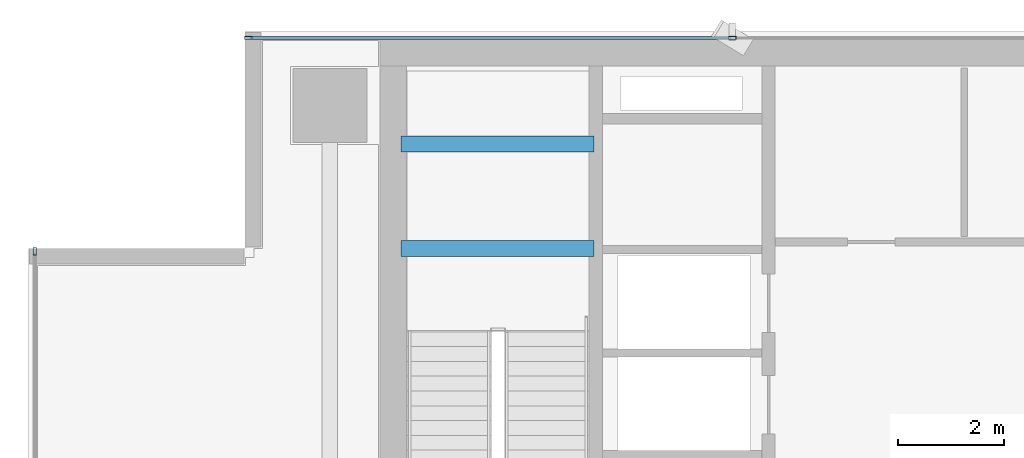
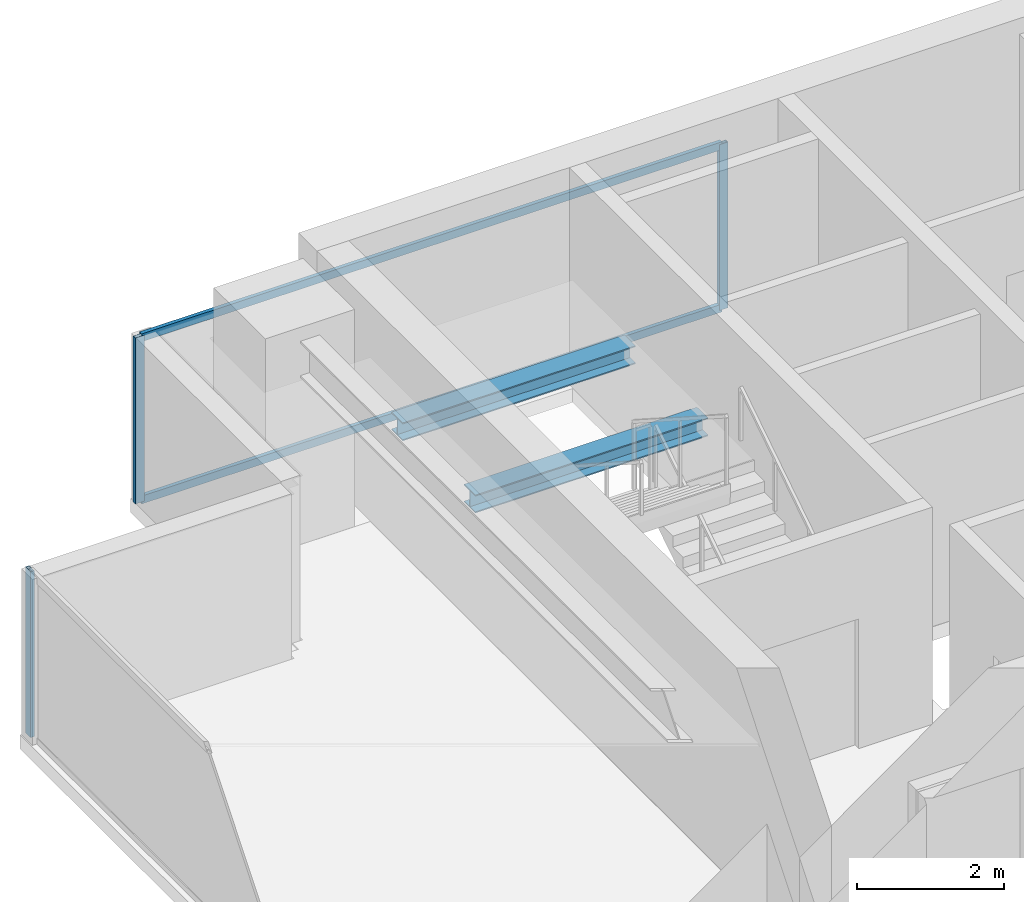
# One storey, part 15 of 26: 5 members, 2 beams, 2 elements without a shape of their own.
"""IFC4 building model written with IfcOpenShell, lengths in metres."""

from ifc_helpers import new_model, si_unit, direction, frame, origin, origin_2d, place, context, subcontext, project, spatial, hollow_rectangle, i_section, extrude, source, transform, mapped, material, layer, layer_set, material_profile, profile_set, type_object, element, aggregate, save


model = new_model("IFC4")

# Units and contexts
model_context = context("Model", 3, precision=1e-05, world=origin(), true_north=direction((0.0, 1.0)))
body_context = subcontext(model_context, "Body", "Model", "MODEL_VIEW")
ifc_project = project(units=[si_unit("LENGTHUNIT", "METRE"), si_unit("AREAUNIT", "SQUARE_METRE"), si_unit("VOLUMEUNIT", "CUBIC_METRE"), si_unit("PLANEANGLEUNIT", "RADIAN"), si_unit("MASSUNIT", "GRAM", prefix="KILO")], contexts=[model_context])

# Site, building, storey
site_placement = place(None, origin())
site = spatial("IfcSite", under=ifc_project, at=site_placement, CompositionType="ELEMENT")
building_placement = place(site_placement, origin())
building = spatial("IfcBuilding", under=site, at=building_placement, Name="Sumidabori Civic Tower", CompositionType="ELEMENT")
storey_placement = place(building_placement, frame((0.0, 0.0, 264.800048828125)))
storey = spatial("IfcBuildingStorey", under=building, at=storey_placement, Name="L69", CompositionType="ELEMENT", Elevation=264.800048828125)

# Beams
ifc_material_1 = material(Name="Steel SN490", Category="steel")
ifc_material_profile_1 = material_profile(ifc_material_1, i_section(OverallWidth=0.300048828125, OverallDepth=0.300048828125, WebThickness=0.010986328125, FlangeThickness=0.01904296875, at=origin_2d()), Name="HE 300 B")
ifc_profile_set_1 = profile_set([ifc_material_profile_1], Name="Steel SN490")
beam_type = type_object("IfcBeamType", Name="BM-LDG-300", PredefinedType="BEAM", material=ifc_profile_set_1)
shared_shape_1 = source(origin(), body_context, "Body", "SweptSolid", [
    extrude(i_section(OverallWidth=0.300048828125, OverallDepth=0.300048828125, WebThickness=0.010986328125, FlangeThickness=0.01904296875, at=origin_2d()), origin(), (0.0, 0.0, 1.0), 3.64990234375),
])
for number, where, z_axis, x_axis, name in (
    (1, (-15.449951171875, 20.09765625, 1.449951171875), (1.0, 0.0, 0.0), (0.0, 1.0, 0.0), "Stair ST-1 Landing Support Beam L69-1A"),
    (2, (-15.449951171875, 22.069580078125, 1.449951171875), (1.0, 0.0, 0.0), (0.0, 1.0, 0.0), "Stair ST-1 Landing Trimmer Beam L69-1B"),
):
    element("IfcBeam", number, at=place(storey_placement, frame(where, z_axis=z_axis, x_axis=x_axis)), inside=storey, type_object=beam_type, Name=name, PredefinedType="BEAM", context=body_context, shape_type="MappedRepresentation", body=[
        mapped(shared_shape_1, transform((0.0, 0.0, 0.0), x_axis=(1.0, 0.0, 0.0), y_axis=(0.0, 1.0, 0.0), z_axis=(0.0, 0.0, 1.0), scale=1.0)),
    ])

# Curtain wall, members
ifc_material_2 = material(Name="Anodised Bronze Aluminium AW-6063-T6", Category="aluminium")
ifc_layer = layer(ifc_material_2, 0.179931640625, Name="Anodised Bronze Aluminium AW-6063-T6")
ifc_layer_set = layer_set([ifc_layer], Name="Anodised Bronze Aluminium AW-6063-T6")
curtain_wall_type = type_object("IfcCurtainWallType", Name="CW-SYS-5", PredefinedType="NOTDEFINED", material=ifc_layer_set)
curtain_wall_1_placement = place(storey_placement, origin())
curtain_wall_1 = element("IfcCurtainWall", 3, at=curtain_wall_1_placement, inside=storey, type_object=curtain_wall_type, Name="Curtain Wall CW:L69:R07", PredefinedType="NOTDEFINED")
ifc_material_profile_2 = material_profile(ifc_material_2, hollow_rectangle(XDim=0.06005859375, YDim=0.1298828125, WallThickness=0.0048828125, at=origin_2d()), Name="ALU TRANSOM 130x60")
ifc_profile_set_2 = profile_set([ifc_material_profile_2], Name="Anodised Bronze Aluminium AW-6063-T6")
member_type_1 = type_object("IfcMemberType", Name="CW-TRN-130", PredefinedType="USERDEFINED", material=ifc_profile_set_2)
shared_shape_2 = source(origin(), body_context, "Body", "SweptSolid", [
    extrude(hollow_rectangle(XDim=0.06005859375, YDim=0.1298828125, WallThickness=0.0048828125, at=origin_2d()), origin(), (0.0, 0.0, 1.0), 9.094970703125),
])
member_1_placement = place(storey_placement, frame((-9.215087890625, 24.080078125, 0.030029296875), z_axis=(-1.0, 0.0, 0.0), x_axis=(0.0, -1.0, 0.0)))
member_1 = element("IfcMember", 4, at=member_1_placement, type_object=member_type_1, Name="CW-5 transom 4.1", ObjectType="TRANSOM", PredefinedType="USERDEFINED", context=body_context, shape_type="MappedRepresentation", body=[
    mapped(shared_shape_2, transform((0.0, 0.0, 0.0), x_axis=(1.0, 0.0, 0.0), y_axis=(0.0, 1.0, 0.0), z_axis=(0.0, 0.0, 1.0), scale=1.0)),
])
member_2_placement = place(storey_placement, frame((-9.215087890625, 24.080078125, 2.719970703125), z_axis=(-1.0, 0.0, 0.0), x_axis=(0.0, -1.0, 0.0)))
member_2 = element("IfcMember", 5, at=member_2_placement, type_object=member_type_1, Name="CW-5 transom 4.2", ObjectType="TRANSOM", PredefinedType="USERDEFINED", context=body_context, shape_type="MappedRepresentation", body=[
    mapped(shared_shape_2, transform((0.0, 0.0, 0.0), x_axis=(1.0, 0.0, 0.0), y_axis=(0.0, 1.0, 0.0), z_axis=(0.0, 0.0, 1.0), scale=1.0)),
])
ifc_material_profile_3 = material_profile(ifc_material_2, hollow_rectangle(XDim=0.06005859375, YDim=0.139892578125, WallThickness=0.0048828125, at=origin_2d()), Name="ALU MULLION 140x60")
ifc_profile_set_3 = profile_set([ifc_material_profile_3], Name="Anodised Bronze Aluminium AW-6063-T6")
member_type_2 = type_object("IfcMemberType", Name="CW-MUL-140", PredefinedType="MULLION", material=ifc_profile_set_3)
shared_shape_3 = source(origin(), body_context, "Body", "SweptSolid", [
    extrude(hollow_rectangle(XDim=0.06005859375, YDim=0.139892578125, WallThickness=0.0048828125, at=origin_2d()), origin(), (0.0, 0.0, 1.0), 2.75),
])
member_3_placement = place(storey_placement, frame((-9.18505859375, 24.080078125, 0.0), z_axis=(0.0, 0.0, 1.0), x_axis=(0.0, -1.0, 0.0)))
member_3 = element("IfcMember", 6, at=member_3_placement, type_object=member_type_2, Name="CW-5 mullion 4", PredefinedType="MULLION", context=body_context, shape_type="MappedRepresentation", body=[
    mapped(shared_shape_3, transform((0.0, 0.0, 0.0), x_axis=(1.0, 0.0, 0.0), y_axis=(0.0, 1.0, 0.0), z_axis=(0.0, 0.0, 1.0), scale=1.0)),
])
member_4_placement = place(storey_placement, frame((-18.340087890625, 24.080078125, 0.0), z_axis=(0.0, 0.0, 1.0), x_axis=(0.0, -1.0, 0.0)))
member_4 = element("IfcMember", 7, at=member_4_placement, type_object=member_type_2, Name="CW-5 mullion 5", PredefinedType="MULLION", context=body_context, shape_type="MappedRepresentation", body=[
    mapped(shared_shape_3, transform((0.0, 0.0, 0.0), x_axis=(1.0, 0.0, 0.0), y_axis=(0.0, 1.0, 0.0), z_axis=(0.0, 0.0, 1.0), scale=1.0)),
])
aggregate(curtain_wall_1, [member_3, member_4, member_1, member_2])

# Curtain wall, member
curtain_wall_2_placement = place(storey_placement, origin())
curtain_wall_2 = element("IfcCurtainWall", 8, at=curtain_wall_2_placement, inside=storey, type_object=curtain_wall_type, Name="Curtain Wall CW:L69:R10", PredefinedType="NOTDEFINED")
member_5_placement = place(storey_placement, frame((-22.3798828125, 20.0400390625, 0.0), z_axis=(0.0, 0.0, 1.0), x_axis=(1.0, 0.0, 0.0)))
member_5 = element("IfcMember", 9, at=member_5_placement, type_object=member_type_2, Name="CW-5 mullion 1", PredefinedType="MULLION", context=body_context, shape_type="MappedRepresentation", body=[
    mapped(shared_shape_3, transform((0.0, 0.0, 0.0), x_axis=(1.0, 0.0, 0.0), y_axis=(0.0, 1.0, 0.0), z_axis=(0.0, 0.0, 1.0), scale=1.0)),
])
aggregate(curtain_wall_2, [member_5])

save(model, "model.ifc")
